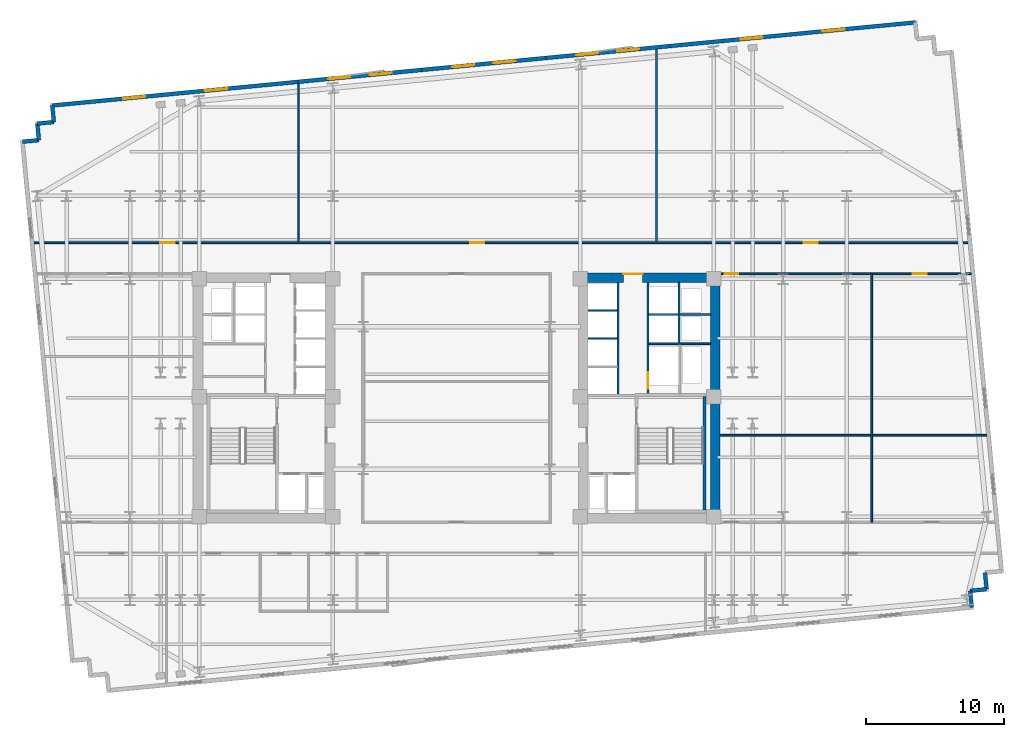
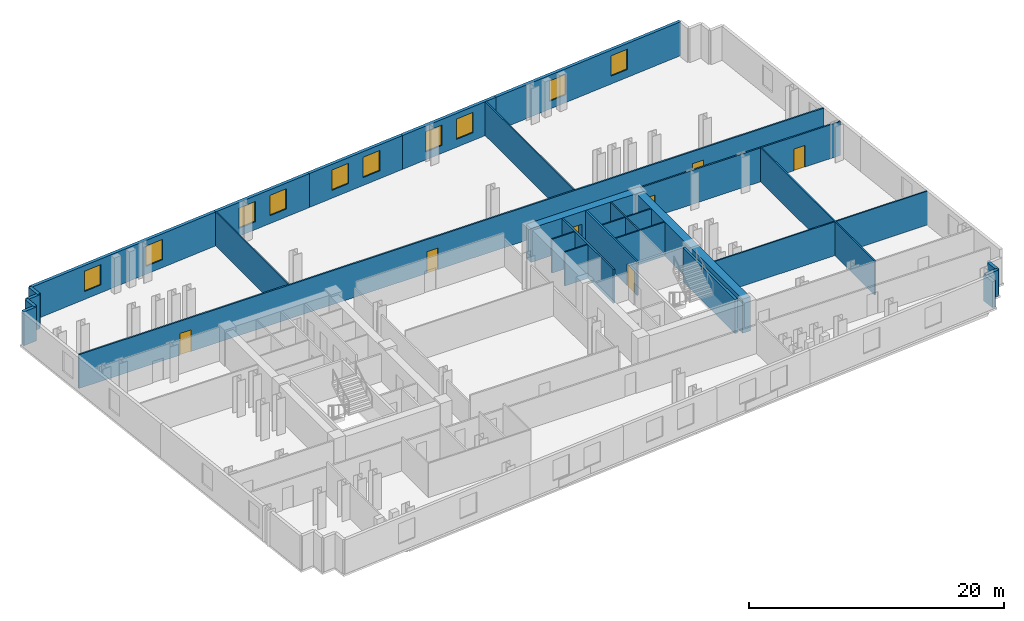
# One storey, part 7 of 10: 29 walls, 10 windows, 7 doors, 17 openings.
"""IFC4 building model written with IfcOpenShell, lengths in metres."""

from ifc_helpers import new_model, si_unit, direction, frame, frame_2d, origin, place, context, subcontext, project, spatial, rectangle, extrude, material, layer, layer_set, type_object, element, fill, save


model = new_model("IFC4")

# Units and contexts
model_context = context("Model", 3, precision=1e-05, world=origin(), true_north=direction((0.0, 1.0)))
body_context = subcontext(model_context, "Body", "Model", "MODEL_VIEW")
ifc_project = project(units=[si_unit("LENGTHUNIT", "METRE"), si_unit("AREAUNIT", "SQUARE_METRE"), si_unit("VOLUMEUNIT", "CUBIC_METRE"), si_unit("PLANEANGLEUNIT", "RADIAN"), si_unit("MASSUNIT", "GRAM", prefix="KILO")], contexts=[model_context])

# Site, building, storey
site_placement = place(None, origin())
site = spatial("IfcSite", under=ifc_project, at=site_placement, CompositionType="ELEMENT")
building_placement = place(site_placement, origin())
building = spatial("IfcBuilding", under=site, at=building_placement, Name="Velakula Bourse", CompositionType="ELEMENT")
storey_placement = place(building_placement, frame((0.0, 0.0, 81.10009765625)))
storey = spatial("IfcBuildingStorey", under=building, at=storey_placement, Name="L21", CompositionType="ELEMENT", Elevation=81.10009765625)

# Wall
ifc_material_1 = material(Name="Concrete M50 (fck 50 MPa)", Category="concrete")
ifc_layer_1 = layer(ifc_material_1, 0.2099609375, Name="Concrete M50 (fck 50 MPa)", Category="concrete")
ifc_layer_set_1 = layer_set([ifc_layer_1], Name="Concrete M50 (fck 50 MPa)")
wall_type_1 = type_object("IfcWallType", Name="WL-CORE-210", PredefinedType="SHEAR", material=ifc_layer_set_1)
wall_1_placement = place(storey_placement, frame((17.925048828125, -8.10009765625, 0.0), z_axis=(0.0, 0.0, 1.0), x_axis=(0.0, 1.0, 0.0)))
element("IfcWall", 1, at=wall_1_placement, inside=storey, type_object=wall_type_1, Name="L21 Core E Stairwell Shear Wall OUT", PredefinedType="SHEAR", context=body_context, shape_type="SweptSolid", body=[
    extrude(rectangle(XDim=8.2001953125, YDim=0.2099609375, at=frame_2d((4.10009765625, 0.0))), origin(), (0.0, 0.0, 1.0), 3.27001953125),
])

# Wall, opening, door
ifc_material_2 = material(Name="Concrete M70 (fck 70 MPa)", Category="concrete")
ifc_layer_2 = layer(ifc_material_2, 0.699951171875, Name="Concrete M70 (fck 70 MPa)", Category="concrete")
ifc_layer_set_2 = layer_set([ifc_layer_2], Name="Concrete M70 (fck 70 MPa)")
wall_type_2 = type_object("IfcWallType", Name="WL-CORE-700", PredefinedType="SHEAR", material=ifc_layer_set_2)
wall_2_placement = place(storey_placement, frame((8.800048828125, 8.699951171875, 0.0), z_axis=(0.0, 0.0, 1.0), x_axis=(1.0, 0.0, 0.0)))
wall_2 = element("IfcWall", 2, at=wall_2_placement, inside=storey, type_object=wall_type_2, Name="L21 Core E Shear Wall N", PredefinedType="SHEAR", context=body_context, shape_type="SweptSolid", body=[
    extrude(rectangle(XDim=10.25, YDim=0.699951171875, at=frame_2d((5.125, 0.0))), origin(), (0.0, 0.0, 1.0), 3.27001953125),
])
opening_1_placement = place(wall_2_placement, frame((3.25, 0.0, 0.0)))
opening_1 = element("IfcOpeningElement", 3, at=opening_1_placement, cuts=wall_2, Name="Opening D-LLE", PredefinedType="OPENING", context=body_context, shape_type="SweptSolid", body=[
    extrude(rectangle(XDim=1.39990234375, YDim=2.050048828125, at=frame_2d((0.699951171875, 1.02490234375))), frame((0.0, 0.35986328125, 0.0), z_axis=(0.0, -1.0, 0.0), x_axis=(1.0, 0.0, 0.0)), (0.0, 0.0, 1.0), 0.719970703125),
])
ifc_material_3 = material(Name="Fire-rated hardwood flush architectural door", Category="wood")
door_type_1 = type_object("IfcDoorType", Name="DR-DBL-FD60-1400", OperationType="DOUBLE_DOOR_SINGLE_SWING", PredefinedType="DOOR", material=ifc_material_3)
door_1_placement = place(opening_1_placement, origin())
door_1 = element("IfcDoor", 4, at=door_1_placement, inside=storey, type_object=door_type_1, Name="L21 Core E Lift Lobby Corridor Double Door", OperationType="DOUBLE_DOOR_SINGLE_SWING", OverallHeight=2.050048828125, OverallWidth=1.39990234375, PredefinedType="DOOR", context=body_context, shape_type="SweptSolid", body=[
    extrude(rectangle(XDim=1.39990234375, YDim=2.050048828125, at=frame_2d((0.699951171875, 1.02490234375))), frame((0.0, 0.294921875, 0.0), z_axis=(0.0, -1.0, 0.0), x_axis=(1.0, 0.0, 0.0)), (0.0, 0.0, 1.0), 0.050048828125),
])
fill(opening_1, door_1)

# Wall
wall_3_placement = place(storey_placement, frame((18.699951171875, -8.35009765625, 0.0), z_axis=(0.0, 0.0, 1.0), x_axis=(0.0, 1.0, 0.0)))
element("IfcWall", 5, at=wall_3_placement, inside=storey, type_object=wall_type_2, Name="L21 Core E Shear Wall E", PredefinedType="SHEAR", context=body_context, shape_type="SweptSolid", body=[
    extrude(rectangle(XDim=16.7001953125, YDim=0.699951171875, at=frame_2d((8.35009765625, 0.0))), origin(), (0.0, 0.0, 1.0), 3.27001953125),
])

# Wall, openings, windows
ifc_material_4 = material(Name="Red kilned clay facing brick masonry", Category="masonry")
ifc_layer_3 = layer(ifc_material_4, 0.280029296875, Name="Red kilned clay facing brick masonry", Category="masonry")
ifc_layer_set_3 = layer_set([ifc_layer_3], Name="Red kilned clay facing brick masonry")
wall_type_3 = type_object("IfcWallType", Name="WL-EXT-BRK-280", PredefinedType="STANDARD", material=ifc_layer_set_3)
wall_4_placement = place(storey_placement, frame((-29.2314453125, 21.138427734375, 0.0), z_axis=(0.0, 0.0, 1.0), x_axis=(0.995395780835, 0.095850088663, 0.0)))
wall_4 = element("IfcWall", 6, at=wall_4_placement, inside=storey, type_object=wall_type_3, Name="L21 N Brick Spandrel Wall B1", PredefinedType="STANDARD", context=body_context, shape_type="SweptSolid", body=[
    extrude(rectangle(XDim=17.83984375, YDim=0.280029296875, at=frame_2d((8.919921875, 0.0))), origin(), (0.0, 0.0, 1.0), 3.25),
])
opening_2_placement = place(wall_4_placement, frame((5.146728515625, 0.0, 0.760009765625)))
opening_2 = element("IfcOpeningElement", 7, at=opening_2_placement, cuts=wall_4, Name="Opening W-02", PredefinedType="OPENING", context=body_context, shape_type="SweptSolid", body=[
    extrude(rectangle(XDim=1.60009765625, YDim=1.949951171875, at=frame_2d((0.800048828125, 0.97509765625))), frame((0.0, 0.14990234375, 0.0), z_axis=(0.0, -1.0, 0.0), x_axis=(1.0, 0.0, 0.0)), (0.0, 0.0, 1.0), 0.300048828125),
])
opening_3_placement = place(wall_4_placement, frame((11.09326171875, 0.0, 0.760009765625)))
opening_3 = element("IfcOpeningElement", 8, at=opening_3_placement, cuts=wall_4, Name="Opening W-02", PredefinedType="OPENING", context=body_context, shape_type="SweptSolid", body=[
    extrude(rectangle(XDim=1.60009765625, YDim=1.949951171875, at=frame_2d((0.800048828125, 0.97509765625))), frame((0.0, 0.14990234375, 0.0), z_axis=(0.0, -1.0, 0.0), x_axis=(1.0, 0.0, 0.0)), (0.0, 0.0, 1.0), 0.300048828125),
])
ifc_material_5 = material(Name="Double-glazed solar-control Low-E glass", Category="glass")
window_type = type_object("IfcWindowType", Name="WIN-TWR-1600x2100", PartitioningType="SINGLE_PANEL", PredefinedType="WINDOW", material=ifc_material_5)
window_1_placement = place(opening_2_placement, origin())
window_1 = element("IfcWindow", 9, at=window_1_placement, inside=storey, type_object=window_type, Name="L21 Deep-Set Recessed Window 1", OverallHeight=1.949951171875, OverallWidth=1.60009765625, PartitioningType="SINGLE_PANEL", PredefinedType="WINDOW", context=body_context, shape_type="SweptSolid", body=[
    extrude(rectangle(XDim=1.60009765625, YDim=1.949951171875, at=frame_2d((0.800048828125, 0.97509765625))), frame((0.0, 0.030029296875, 0.0), z_axis=(0.0, -1.0, 0.0), x_axis=(1.0, 0.0, 0.0)), (0.0, 0.0, 1.0), 0.06005859375),
])
fill(opening_2, window_1)
window_2_placement = place(opening_3_placement, origin())
window_2 = element("IfcWindow", 10, at=window_2_placement, inside=storey, type_object=window_type, Name="L21 Deep-Set Recessed Window 2", OverallHeight=1.949951171875, OverallWidth=1.60009765625, PartitioningType="SINGLE_PANEL", PredefinedType="WINDOW", context=body_context, shape_type="SweptSolid", body=[
    extrude(rectangle(XDim=1.60009765625, YDim=1.949951171875, at=frame_2d((0.800048828125, 0.97509765625))), frame((0.0, 0.030029296875, 0.0), z_axis=(0.0, -1.0, 0.0), x_axis=(1.0, 0.0, 0.0)), (0.0, 0.0, 1.0), 0.06005859375),
])
fill(opening_3, window_2)

wall_5_placement = place(storey_placement, frame((-11.4736328125, 22.848388671875, 0.0), z_axis=(0.0, 0.0, 1.0), x_axis=(0.995396794462, 0.09583956164, 0.0)))
wall_5 = element("IfcWall", 11, at=wall_5_placement, inside=storey, type_object=wall_type_3, Name="L21 N Brick Spandrel Wall B2", PredefinedType="STANDARD", context=body_context, shape_type="SweptSolid", body=[
    extrude(rectangle(XDim=9.0, YDim=0.280029296875, at=frame_2d((4.5, 0.0))), origin(), (0.0, 0.0, 1.0), 3.25),
])
opening_4_placement = place(wall_5_placement, frame((2.199951171875, 0.0, 0.760009765625)))
opening_4 = element("IfcOpeningElement", 12, at=opening_4_placement, cuts=wall_5, Name="Opening W-02", PredefinedType="OPENING", context=body_context, shape_type="SweptSolid", body=[
    extrude(rectangle(XDim=1.60009765625, YDim=1.949951171875, at=frame_2d((0.800048828125, 0.97509765625))), frame((0.0, 0.14990234375, 0.0), z_axis=(0.0, -1.0, 0.0), x_axis=(1.0, 0.0, 0.0)), (0.0, 0.0, 1.0), 0.300048828125),
])
opening_5_placement = place(wall_5_placement, frame((5.199951171875, 0.0, 0.760009765625)))
opening_5 = element("IfcOpeningElement", 13, at=opening_5_placement, cuts=wall_5, Name="Opening W-02", PredefinedType="OPENING", context=body_context, shape_type="SweptSolid", body=[
    extrude(rectangle(XDim=1.60009765625, YDim=1.949951171875, at=frame_2d((0.800048828125, 0.97509765625))), frame((0.0, 0.14990234375, 0.0), z_axis=(0.0, -1.0, 0.0), x_axis=(1.0, 0.0, 0.0)), (0.0, 0.0, 1.0), 0.300048828125),
])
window_3_placement = place(opening_4_placement, origin())
window_3 = element("IfcWindow", 14, at=window_3_placement, inside=storey, type_object=window_type, Name="L21 Deep-Set Recessed Window 1", OverallHeight=1.949951171875, OverallWidth=1.60009765625, PartitioningType="SINGLE_PANEL", PredefinedType="WINDOW", context=body_context, shape_type="SweptSolid", body=[
    extrude(rectangle(XDim=1.60009765625, YDim=1.949951171875, at=frame_2d((0.800048828125, 0.97509765625))), frame((0.0, 0.030029296875, 0.0), z_axis=(0.0, -1.0, 0.0), x_axis=(1.0, 0.0, 0.0)), (0.0, 0.0, 1.0), 0.06005859375),
])
fill(opening_4, window_3)
window_4_placement = place(opening_5_placement, origin())
window_4 = element("IfcWindow", 15, at=window_4_placement, inside=storey, type_object=window_type, Name="L21 Deep-Set Recessed Window 2", OverallHeight=1.949951171875, OverallWidth=1.60009765625, PartitioningType="SINGLE_PANEL", PredefinedType="WINDOW", context=body_context, shape_type="SweptSolid", body=[
    extrude(rectangle(XDim=1.60009765625, YDim=1.949951171875, at=frame_2d((0.800048828125, 0.97509765625))), frame((0.0, 0.030029296875, 0.0), z_axis=(0.0, -1.0, 0.0), x_axis=(1.0, 0.0, 0.0)), (0.0, 0.0, 1.0), 0.06005859375),
])
fill(opening_5, window_4)

wall_6_placement = place(storey_placement, frame((-2.51513671875, 23.7109375, 0.0), z_axis=(0.0, 0.0, 1.0), x_axis=(0.995397043619, 0.095836973841, 0.0)))
wall_6 = element("IfcWall", 16, at=wall_6_placement, inside=storey, type_object=wall_type_3, Name="L21 N Brick Spandrel Wall B3", PredefinedType="STANDARD", context=body_context, shape_type="SweptSolid", body=[
    extrude(rectangle(XDim=9.000244140625, YDim=0.280029296875, at=frame_2d((4.5, 0.0))), origin(), (0.0, 0.0, 1.0), 3.25),
])
opening_6_placement = place(wall_6_placement, frame((2.199951171875, 0.0, 0.760009765625)))
opening_6 = element("IfcOpeningElement", 17, at=opening_6_placement, cuts=wall_6, Name="Opening W-02", PredefinedType="OPENING", context=body_context, shape_type="SweptSolid", body=[
    extrude(rectangle(XDim=1.60009765625, YDim=1.949951171875, at=frame_2d((0.800048828125, 0.97509765625))), frame((0.0, 0.14990234375, 0.0), z_axis=(0.0, -1.0, 0.0), x_axis=(1.0, 0.0, 0.0)), (0.0, 0.0, 1.0), 0.300048828125),
])
opening_7_placement = place(wall_6_placement, frame((5.199951171875, 0.0, 0.760009765625)))
opening_7 = element("IfcOpeningElement", 18, at=opening_7_placement, cuts=wall_6, Name="Opening W-02", PredefinedType="OPENING", context=body_context, shape_type="SweptSolid", body=[
    extrude(rectangle(XDim=1.60009765625, YDim=1.949951171875, at=frame_2d((0.800048828125, 0.97509765625))), frame((0.0, 0.14990234375, 0.0), z_axis=(0.0, -1.0, 0.0), x_axis=(1.0, 0.0, 0.0)), (0.0, 0.0, 1.0), 0.300048828125),
])
window_5_placement = place(opening_6_placement, origin())
window_5 = element("IfcWindow", 19, at=window_5_placement, inside=storey, type_object=window_type, Name="L21 Deep-Set Recessed Window 1", OverallHeight=1.949951171875, OverallWidth=1.60009765625, PartitioningType="SINGLE_PANEL", PredefinedType="WINDOW", context=body_context, shape_type="SweptSolid", body=[
    extrude(rectangle(XDim=1.60009765625, YDim=1.949951171875, at=frame_2d((0.800048828125, 0.97509765625))), frame((0.0, 0.030029296875, 0.0), z_axis=(0.0, -1.0, 0.0), x_axis=(1.0, 0.0, 0.0)), (0.0, 0.0, 1.0), 0.06005859375),
])
fill(opening_6, window_5)
window_6_placement = place(opening_7_placement, origin())
window_6 = element("IfcWindow", 20, at=window_6_placement, inside=storey, type_object=window_type, Name="L21 Deep-Set Recessed Window 2", OverallHeight=1.949951171875, OverallWidth=1.60009765625, PartitioningType="SINGLE_PANEL", PredefinedType="WINDOW", context=body_context, shape_type="SweptSolid", body=[
    extrude(rectangle(XDim=1.60009765625, YDim=1.949951171875, at=frame_2d((0.800048828125, 0.97509765625))), frame((0.0, 0.030029296875, 0.0), z_axis=(0.0, -1.0, 0.0), x_axis=(1.0, 0.0, 0.0)), (0.0, 0.0, 1.0), 0.06005859375),
])
fill(opening_7, window_6)

wall_7_placement = place(storey_placement, frame((6.443603515625, 24.573486328125, 0.0), z_axis=(0.0, 0.0, 1.0), x_axis=(0.995396794462, 0.09583956164, 0.0)))
wall_7 = element("IfcWall", 21, at=wall_7_placement, inside=storey, type_object=wall_type_3, Name="L21 N Brick Spandrel Wall B4", PredefinedType="STANDARD", context=body_context, shape_type="SweptSolid", body=[
    extrude(rectangle(XDim=9.0, YDim=0.280029296875, at=frame_2d((4.5, 0.0))), origin(), (0.0, 0.0, 1.0), 3.25),
])
opening_8_placement = place(wall_7_placement, frame((2.199951171875, 0.0, 0.760009765625)))
opening_8 = element("IfcOpeningElement", 22, at=opening_8_placement, cuts=wall_7, Name="Opening W-02", PredefinedType="OPENING", context=body_context, shape_type="SweptSolid", body=[
    extrude(rectangle(XDim=1.60009765625, YDim=1.949951171875, at=frame_2d((0.800048828125, 0.97509765625))), frame((0.0, 0.14990234375, 0.0), z_axis=(0.0, -1.0, 0.0), x_axis=(1.0, 0.0, 0.0)), (0.0, 0.0, 1.0), 0.300048828125),
])
opening_9_placement = place(wall_7_placement, frame((5.199951171875, 0.0, 0.760009765625)))
opening_9 = element("IfcOpeningElement", 23, at=opening_9_placement, cuts=wall_7, Name="Opening W-02", PredefinedType="OPENING", context=body_context, shape_type="SweptSolid", body=[
    extrude(rectangle(XDim=1.60009765625, YDim=1.949951171875, at=frame_2d((0.800048828125, 0.97509765625))), frame((0.0, 0.14990234375, 0.0), z_axis=(0.0, -1.0, 0.0), x_axis=(1.0, 0.0, 0.0)), (0.0, 0.0, 1.0), 0.300048828125),
])
window_7_placement = place(opening_8_placement, origin())
window_7 = element("IfcWindow", 24, at=window_7_placement, inside=storey, type_object=window_type, Name="L21 Deep-Set Recessed Window 1", OverallHeight=1.949951171875, OverallWidth=1.60009765625, PartitioningType="SINGLE_PANEL", PredefinedType="WINDOW", context=body_context, shape_type="SweptSolid", body=[
    extrude(rectangle(XDim=1.60009765625, YDim=1.949951171875, at=frame_2d((0.800048828125, 0.97509765625))), frame((0.0, 0.030029296875, 0.0), z_axis=(0.0, -1.0, 0.0), x_axis=(1.0, 0.0, 0.0)), (0.0, 0.0, 1.0), 0.06005859375),
])
fill(opening_8, window_7)
window_8_placement = place(opening_9_placement, origin())
window_8 = element("IfcWindow", 25, at=window_8_placement, inside=storey, type_object=window_type, Name="L21 Deep-Set Recessed Window 2", OverallHeight=1.949951171875, OverallWidth=1.60009765625, PartitioningType="SINGLE_PANEL", PredefinedType="WINDOW", context=body_context, shape_type="SweptSolid", body=[
    extrude(rectangle(XDim=1.60009765625, YDim=1.949951171875, at=frame_2d((0.800048828125, 0.97509765625))), frame((0.0, 0.030029296875, 0.0), z_axis=(0.0, -1.0, 0.0), x_axis=(1.0, 0.0, 0.0)), (0.0, 0.0, 1.0), 0.06005859375),
])
fill(opening_9, window_8)

wall_8_placement = place(storey_placement, frame((15.402099609375, 25.43603515625, 0.0), z_axis=(0.0, 0.0, 1.0), x_axis=(0.995395780835, 0.095850088663, 0.0)))
wall_8 = element("IfcWall", 26, at=wall_8_placement, inside=storey, type_object=wall_type_3, Name="L21 N Brick Spandrel Wall B5", PredefinedType="STANDARD", context=body_context, shape_type="SweptSolid", body=[
    extrude(rectangle(XDim=17.83984375, YDim=0.280029296875, at=frame_2d((8.919921875, 0.0))), origin(), (0.0, 0.0, 1.0), 3.25),
])
opening_10_placement = place(wall_8_placement, frame((5.146728515625, 0.0, 0.760009765625)))
opening_10 = element("IfcOpeningElement", 27, at=opening_10_placement, cuts=wall_8, Name="Opening W-02", PredefinedType="OPENING", context=body_context, shape_type="SweptSolid", body=[
    extrude(rectangle(XDim=1.60009765625, YDim=1.949951171875, at=frame_2d((0.800048828125, 0.97509765625))), frame((0.0, 0.14990234375, 0.0), z_axis=(0.0, -1.0, 0.0), x_axis=(1.0, 0.0, 0.0)), (0.0, 0.0, 1.0), 0.300048828125),
])
opening_11_placement = place(wall_8_placement, frame((11.09326171875, 0.0, 0.760009765625)))
opening_11 = element("IfcOpeningElement", 28, at=opening_11_placement, cuts=wall_8, Name="Opening W-02", PredefinedType="OPENING", context=body_context, shape_type="SweptSolid", body=[
    extrude(rectangle(XDim=1.60009765625, YDim=1.949951171875, at=frame_2d((0.800048828125, 0.97509765625))), frame((0.0, 0.14990234375, 0.0), z_axis=(0.0, -1.0, 0.0), x_axis=(1.0, 0.0, 0.0)), (0.0, 0.0, 1.0), 0.300048828125),
])
window_9_placement = place(opening_10_placement, origin())
window_9 = element("IfcWindow", 29, at=window_9_placement, inside=storey, type_object=window_type, Name="L21 Deep-Set Recessed Window 1", OverallHeight=1.949951171875, OverallWidth=1.60009765625, PartitioningType="SINGLE_PANEL", PredefinedType="WINDOW", context=body_context, shape_type="SweptSolid", body=[
    extrude(rectangle(XDim=1.60009765625, YDim=1.949951171875, at=frame_2d((0.800048828125, 0.97509765625))), frame((0.0, 0.030029296875, 0.0), z_axis=(0.0, -1.0, 0.0), x_axis=(1.0, 0.0, 0.0)), (0.0, 0.0, 1.0), 0.06005859375),
])
fill(opening_10, window_9)
window_10_placement = place(opening_11_placement, origin())
window_10 = element("IfcWindow", 30, at=window_10_placement, inside=storey, type_object=window_type, Name="L21 Deep-Set Recessed Window 2", OverallHeight=1.949951171875, OverallWidth=1.60009765625, PartitioningType="SINGLE_PANEL", PredefinedType="WINDOW", context=body_context, shape_type="SweptSolid", body=[
    extrude(rectangle(XDim=1.60009765625, YDim=1.949951171875, at=frame_2d((0.800048828125, 0.97509765625))), frame((0.0, 0.030029296875, 0.0), z_axis=(0.0, -1.0, 0.0), x_axis=(1.0, 0.0, 0.0)), (0.0, 0.0, 1.0), 0.06005859375),
])
fill(opening_11, window_10)

# Walls
for number, where, z_axis, x_axis, name in (
    (31, (37.2314453125, -15.138427734375, 0.0), (0.0, 0.0, 1.0), (-0.095817067274, 0.995398960025, 0.0), "L21 Serrated Corner Brick Wall SE-1"),
    (32, (37.116455078125, -13.94384765625, 0.0), (0.0, 0.0, 1.0), (0.995398960025, 0.095817067274, 0.0), "L21 Serrated Corner Brick Wall SE-2"),
):
    element("IfcWall", number, at=place(storey_placement, frame(where, z_axis=z_axis, x_axis=x_axis)), inside=storey, type_object=wall_type_3, Name=name, PredefinedType="STANDARD", context=body_context, shape_type="SweptSolid", body=[
        extrude(rectangle(XDim=1.2001953125, YDim=0.280029296875, at=frame_2d((0.60009765625, 0.0))), origin(), (0.0, 0.0, 1.0), 2.494873046875),
    ])
wall_9_placement = place(storey_placement, frame((38.31103515625, -13.828857421875, 0.0), z_axis=(0.0, 0.0, 1.0), x_axis=(-0.095836473879, 0.995397091755, 0.0)))
element("IfcWall", 33, at=wall_9_placement, inside=storey, type_object=wall_type_3, Name="L21 Serrated Corner Brick Wall SE-3", PredefinedType="STANDARD", context=body_context, shape_type="SweptSolid", body=[
    extrude(rectangle(XDim=1.199951171875, YDim=0.280029296875, at=frame_2d((0.60009765625, 0.0))), origin(), (0.0, 0.0, 1.0), 2.494873046875),
])
for number, where, z_axis, x_axis, name in (
    (34, (-29.2314453125, 21.138427734375, 0.0), (0.0, 0.0, 1.0), (0.095817067274, -0.995398960025, 0.0), "L21 Serrated Corner Brick Wall NW-1"),
    (35, (-29.116455078125, 19.94384765625, 0.0), (0.0, 0.0, 1.0), (-0.995398960025, -0.095817067274, 0.0), "L21 Serrated Corner Brick Wall NW-2"),
):
    element("IfcWall", number, at=place(storey_placement, frame(where, z_axis=z_axis, x_axis=x_axis)), inside=storey, type_object=wall_type_3, Name=name, PredefinedType="STANDARD", context=body_context, shape_type="SweptSolid", body=[
        extrude(rectangle(XDim=1.2001953125, YDim=0.280029296875, at=frame_2d((0.60009765625, 0.0))), origin(), (0.0, 0.0, 1.0), 3.25),
    ])
for number, where, z_axis, x_axis, name in (
    (36, (-30.31103515625, 19.828857421875, 0.0), (0.0, 0.0, 1.0), (0.095836473879, -0.995397091755, 0.0), "L21 Serrated Corner Brick Wall NW-3"),
    (37, (-30.196044921875, 18.634521484375, 0.0), (0.0, 0.0, 1.0), (-0.995397091755, -0.095836473879, 0.0), "L21 Serrated Corner Brick Wall NW-4"),
):
    element("IfcWall", number, at=place(storey_placement, frame(where, z_axis=z_axis, x_axis=x_axis)), inside=storey, type_object=wall_type_3, Name=name, PredefinedType="STANDARD", context=body_context, shape_type="SweptSolid", body=[
        extrude(rectangle(XDim=1.199951171875, YDim=0.280029296875, at=frame_2d((0.60009765625, 0.0))), origin(), (0.0, 0.0, 1.0), 3.25),
    ])
ifc_material_6 = material(Name="Fire-rated double-layer gypsum drywall partition", Category="gypsum")
ifc_layer_4 = layer(ifc_material_6, 0.1201171875, Name="Fire-rated double-layer gypsum drywall partition", Category="gypsum")
ifc_layer_set_4 = layer_set([ifc_layer_4], Name="Fire-rated double-layer gypsum drywall partition")
wall_type_4 = type_object("IfcWallType", Name="WL-PART-120", PredefinedType="STANDARD", material=ifc_layer_set_4)
for number, where, z_axis, x_axis, name in (
    (38, (9.5, 4.284912109375, 0.0), (0.0, 0.0, 1.0), (1.0, 0.0, 0.0), "L21 Interior Partition WL-CRE-L21-BDIV-1"),
    (39, (9.5, 6.31494140625, 0.0), (0.0, 0.0, 1.0), (1.0, 0.0, 0.0), "L21 Interior Partition WL-CRE-L21-BDIV-2"),
):
    element("IfcWall", number, at=place(storey_placement, frame(where, z_axis=z_axis, x_axis=x_axis)), inside=storey, type_object=wall_type_4, Name=name, PredefinedType="STANDARD", context=body_context, shape_type="SweptSolid", body=[
        extrude(rectangle(XDim=2.10009765625, YDim=0.110107421875, at=frame_2d((1.050048828125, 0.0))), origin(), (0.0, 0.0, 1.0), 3.25),
    ])
wall_10_placement = place(storey_placement, frame((13.89990234375, 3.919921875, 0.0), z_axis=(0.0, 0.0, 1.0), x_axis=(1.0, 0.0, 0.0)))
element("IfcWall", 40, at=wall_10_placement, inside=storey, type_object=wall_type_4, Name="L21 Interior Partition WL-CRE-L21-HI-S", PredefinedType="STANDARD", context=body_context, shape_type="SweptSolid", body=[
    extrude(rectangle(XDim=4.4501953125, YDim=0.1201171875, at=frame_2d((2.22509765625, 0.0))), origin(), (0.0, 0.0, 1.0), 3.25),
])
wall_11_placement = place(storey_placement, frame((16.14990234375, 6.030029296875, 0.0), z_axis=(0.0, 0.0, 1.0), x_axis=(1.0, 0.0, 0.0)))
element("IfcWall", 41, at=wall_11_placement, inside=storey, type_object=wall_type_4, Name="L21 Interior Partition WL-CRE-L21-RIS-MID", PredefinedType="STANDARD", context=body_context, shape_type="SweptSolid", body=[
    extrude(rectangle(XDim=2.2001953125, YDim=0.1201171875, at=frame_2d((1.10009765625, 0.0))), origin(), (0.0, 0.0, 1.0), 3.25),
])
wall_12_placement = place(storey_placement, frame((16.074951171875, 3.97998046875, 0.0), z_axis=(0.0, 0.0, 1.0), x_axis=(0.0, 1.0, 0.0)))
element("IfcWall", 42, at=wall_12_placement, inside=storey, type_object=wall_type_4, Name="L21 Interior Partition WL-CRE-L21-RIS-F", PredefinedType="STANDARD", context=body_context, shape_type="SweptSolid", body=[
    extrude(rectangle(XDim=4.3701171875, YDim=0.1201171875, at=frame_2d((2.18505859375, 0.0))), origin(), (0.0, 0.0, 1.0), 3.25),
])
wall_13_placement = place(storey_placement, frame((13.89990234375, 6.030029296875, 0.0), z_axis=(0.0, 0.0, 1.0), x_axis=(1.0, 0.0, 0.0)))
element("IfcWall", 43, at=wall_13_placement, inside=storey, type_object=wall_type_4, Name="L21 Interior Partition WL-CRE-L21-HI-DIV", PredefinedType="STANDARD", context=body_context, shape_type="SweptSolid", body=[
    extrude(rectangle(XDim=2.10009765625, YDim=0.1201171875, at=frame_2d((1.050048828125, 0.0))), origin(), (0.0, 0.0, 1.0), 3.25),
])
wall_14_placement = place(storey_placement, frame((-11.44189453125, 11.2900390625, 0.0), z_axis=(0.0, 0.0, 1.0), x_axis=(0.0, 1.0, 0.0)))
element("IfcWall", 44, at=wall_14_placement, inside=storey, type_object=wall_type_4, Name="L21 Interior Partition WL-INT-L21-N-D1", PredefinedType="STANDARD", context=body_context, shape_type="SweptSolid", body=[
    extrude(rectangle(XDim=11.440673828125, YDim=0.1201171875, at=frame_2d((5.72021484375, 0.0))), origin(), (0.0, 0.0, 1.0), 3.25),
])
wall_15_placement = place(storey_placement, frame((14.43994140625, 11.2900390625, 0.0), z_axis=(0.0, 0.0, 1.0), x_axis=(0.0, 1.0, 0.0)))
element("IfcWall", 45, at=wall_15_placement, inside=storey, type_object=wall_type_4, Name="L21 Interior Partition WL-INT-L21-N-D2", PredefinedType="STANDARD", context=body_context, shape_type="SweptSolid", body=[
    extrude(rectangle(XDim=13.932861328125, YDim=0.1201171875, at=frame_2d((6.96630859375, 0.0))), origin(), (0.0, 0.0, 1.0), 3.25),
])
wall_16_placement = place(storey_placement, frame((19.050048828125, -2.699951171875, 0.0), z_axis=(0.0, 0.0, 1.0), x_axis=(1.0, 0.0, 0.0)))
element("IfcWall", 46, at=wall_16_placement, inside=storey, type_object=wall_type_4, Name="L21 Interior Partition WL-INT-L21-E-H", PredefinedType="STANDARD", context=body_context, shape_type="SweptSolid", body=[
    extrude(rectangle(XDim=19.274169921875, YDim=0.1201171875, at=frame_2d((9.63720703125, 0.0))), origin(), (0.0, 0.0, 1.0), 3.25),
])
wall_17_placement = place(storey_placement, frame((30.009033203125, -8.97998046875, 0.0), z_axis=(0.0, 0.0, 1.0), x_axis=(0.0, 1.0, 0.0)))
element("IfcWall", 47, at=wall_17_placement, inside=storey, type_object=wall_type_4, Name="L21 Interior Partition WL-INT-L21-E-V1", PredefinedType="STANDARD", context=body_context, shape_type="SweptSolid", body=[
    extrude(rectangle(XDim=17.9599609375, YDim=0.1201171875, at=frame_2d((8.97998046875, 0.0))), origin(), (0.0, 0.0, 1.0), 3.25),
])

# Wall, openings, doors
ifc_layer_5 = layer(ifc_material_6, 0.139892578125, Name="Fire-rated double-layer gypsum drywall partition", Category="gypsum")
ifc_layer_set_5 = layer_set([ifc_layer_5], Name="Fire-rated double-layer gypsum drywall partition")
wall_type_5 = type_object("IfcWallType", Name="WL-PART-140", PredefinedType="STANDARD", material=ifc_layer_set_5)
wall_18_placement = place(storey_placement, frame((-30.56689453125, 11.219970703125, 0.0), z_axis=(0.0, 0.0, 1.0), x_axis=(1.0, 0.0, 0.0)))
wall_18 = element("IfcWall", 48, at=wall_18_placement, inside=storey, type_object=wall_type_5, Name="L21 Interior Partition WL-INT-L21-N-CORR", PredefinedType="STANDARD", context=body_context, shape_type="SweptSolid", body=[
    extrude(rectangle(XDim=67.55078125, YDim=0.139892578125, at=frame_2d((33.775390625, 0.0))), origin(), (0.0, 0.0, 1.0), 3.25),
])
opening_12_placement = place(wall_18_placement, frame((9.1884765625, 0.0, 0.0)))
opening_12 = element("IfcOpeningElement", 49, at=opening_12_placement, cuts=wall_18, Name="Opening D-OF1", PredefinedType="OPENING", context=body_context, shape_type="SweptSolid", body=[
    extrude(rectangle(XDim=1.0, YDim=2.080078125, at=frame_2d((0.5, 1.0400390625))), frame((0.0, 0.079833984375, 0.0), z_axis=(0.0, -1.0, 0.0), x_axis=(1.0, 0.0, 0.0)), (0.0, 0.0, 1.0), 0.159912109375),
])
opening_13_placement = place(wall_18_placement, frame((31.56591796875, 0.0, 0.0)))
opening_13 = element("IfcOpeningElement", 50, at=opening_13_placement, cuts=wall_18, Name="Opening D-OF1", PredefinedType="OPENING", context=body_context, shape_type="SweptSolid", body=[
    extrude(rectangle(XDim=1.0, YDim=2.080078125, at=frame_2d((0.5, 1.0400390625))), frame((0.0, 0.079833984375, 0.0), z_axis=(0.0, -1.0, 0.0), x_axis=(1.0, 0.0, 0.0)), (0.0, 0.0, 1.0), 0.159912109375),
])
opening_14_placement = place(wall_18_placement, frame((55.653076171875, 0.0, 0.0)))
opening_14 = element("IfcOpeningElement", 51, at=opening_14_placement, cuts=wall_18, Name="Opening D-OF1", PredefinedType="OPENING", context=body_context, shape_type="SweptSolid", body=[
    extrude(rectangle(XDim=1.0, YDim=2.080078125, at=frame_2d((0.5, 1.0400390625))), frame((0.0, 0.079833984375, 0.0), z_axis=(0.0, -1.0, 0.0), x_axis=(1.0, 0.0, 0.0)), (0.0, 0.0, 1.0), 0.159912109375),
])
door_type_2 = type_object("IfcDoorType", Name="DR-OFF-1000", OperationType="NOTDEFINED", PredefinedType="DOOR", material=ifc_material_3)
door_2_placement = place(opening_12_placement, origin())
door_2 = element("IfcDoor", 52, at=door_2_placement, inside=storey, type_object=door_type_2, Name="L21 Commodity Futures Workspace Door", OperationType="SINGLE_SWING_LEFT", OverallHeight=2.080078125, OverallWidth=1.0, PredefinedType="DOOR", context=body_context, shape_type="SweptSolid", body=[
    extrude(rectangle(XDim=1.0, YDim=2.080078125, at=frame_2d((0.5, 1.0400390625))), frame((0.0, 0.02490234375, 0.0), z_axis=(0.0, -1.0, 0.0), x_axis=(1.0, 0.0, 0.0)), (0.0, 0.0, 1.0), 0.050048828125),
])
fill(opening_12, door_2)
door_3_placement = place(opening_13_placement, origin())
door_3 = element("IfcDoor", 53, at=door_3_placement, inside=storey, type_object=door_type_2, Name="L21 Clearing Committee Room Door", OperationType="SINGLE_SWING_RIGHT", OverallHeight=2.080078125, OverallWidth=1.0, PredefinedType="DOOR", context=body_context, shape_type="SweptSolid", body=[
    extrude(rectangle(XDim=1.0, YDim=2.080078125, at=frame_2d((0.5, 1.0400390625))), frame((0.0, 0.02490234375, 0.0), z_axis=(0.0, -1.0, 0.0), x_axis=(1.0, 0.0, 0.0)), (0.0, 0.0, 1.0), 0.050048828125),
])
fill(opening_13, door_3)
door_4_placement = place(opening_14_placement, origin())
door_4 = element("IfcDoor", 54, at=door_4_placement, inside=storey, type_object=door_type_2, Name="L21 Tea Room Kitchenette Door", OperationType="SINGLE_SWING_LEFT", OverallHeight=2.080078125, OverallWidth=1.0, PredefinedType="DOOR", context=body_context, shape_type="SweptSolid", body=[
    extrude(rectangle(XDim=1.0, YDim=2.080078125, at=frame_2d((0.5, 1.0400390625))), frame((0.0, 0.02490234375, 0.0), z_axis=(0.0, -1.0, 0.0), x_axis=(1.0, 0.0, 0.0)), (0.0, 0.0, 1.0), 0.050048828125),
])
fill(opening_14, door_4)

wall_19_placement = place(storey_placement, frame((19.050048828125, 8.97998046875, 0.0), z_axis=(0.0, 0.0, 1.0), x_axis=(1.0, 0.0, 0.0)))
wall_19 = element("IfcWall", 55, at=wall_19_placement, inside=storey, type_object=wall_type_5, Name="L21 Interior Partition WL-INT-L21-E-NC", PredefinedType="STANDARD", context=body_context, shape_type="SweptSolid", body=[
    extrude(rectangle(XDim=18.149658203125, YDim=0.139892578125, at=frame_2d((9.07470703125, 0.0))), origin(), (0.0, 0.0, 1.0), 3.25),
])
opening_15_placement = place(wall_19_placement, frame((0.320068359375, 0.0, 0.0)))
opening_15 = element("IfcOpeningElement", 56, at=opening_15_placement, cuts=wall_19, Name="Opening D-OF1", PredefinedType="OPENING", context=body_context, shape_type="SweptSolid", body=[
    extrude(rectangle(XDim=1.0, YDim=2.080078125, at=frame_2d((0.5, 1.0400390625))), frame((0.0, 0.079833984375, 0.0), z_axis=(0.0, -1.0, 0.0), x_axis=(1.0, 0.0, 0.0)), (0.0, 0.0, 1.0), 0.159912109375),
])
opening_16_placement = place(wall_19_placement, frame((13.92431640625, 0.0, 0.0)))
opening_16 = element("IfcOpeningElement", 57, at=opening_16_placement, cuts=wall_19, Name="Opening D-OF1", PredefinedType="OPENING", context=body_context, shape_type="SweptSolid", body=[
    extrude(rectangle(XDim=1.0, YDim=2.080078125, at=frame_2d((0.5, 1.0400390625))), frame((0.0, 0.079833984375, 0.0), z_axis=(0.0, -1.0, 0.0), x_axis=(1.0, 0.0, 0.0)), (0.0, 0.0, 1.0), 0.159912109375),
])
door_5_placement = place(opening_15_placement, origin())
door_5 = element("IfcDoor", 58, at=door_5_placement, inside=storey, type_object=door_type_2, Name="L21 Broadcast Control Office Door", OperationType="SINGLE_SWING_LEFT", OverallHeight=2.080078125, OverallWidth=1.0, PredefinedType="DOOR", context=body_context, shape_type="SweptSolid", body=[
    extrude(rectangle(XDim=1.0, YDim=2.080078125, at=frame_2d((0.5, 1.0400390625))), frame((0.0, 0.02490234375, 0.0), z_axis=(0.0, -1.0, 0.0), x_axis=(1.0, 0.0, 0.0)), (0.0, 0.0, 1.0), 0.050048828125),
])
fill(opening_15, door_5)
door_6_placement = place(opening_16_placement, origin())
door_6 = element("IfcDoor", 59, at=door_6_placement, inside=storey, type_object=door_type_2, Name="L21 Yield Curve Seminar Room Door", OperationType="SINGLE_SWING_RIGHT", OverallHeight=2.080078125, OverallWidth=1.0, PredefinedType="DOOR", context=body_context, shape_type="SweptSolid", body=[
    extrude(rectangle(XDim=1.0, YDim=2.080078125, at=frame_2d((0.5, 1.0400390625))), frame((0.0, 0.02490234375, 0.0), z_axis=(0.0, -1.0, 0.0), x_axis=(1.0, 0.0, 0.0)), (0.0, 0.0, 1.0), 0.050048828125),
])
fill(opening_16, door_6)

# Wall
ifc_material_7 = material(Name="Autoclaved aerated concrete blockwork masonry", Category="masonry")
ifc_layer_6 = layer(ifc_material_7, 0.14990234375, Name="Autoclaved aerated concrete blockwork masonry", Category="masonry")
ifc_layer_set_6 = layer_set([ifc_layer_6], Name="Autoclaved aerated concrete blockwork masonry")
wall_type_6 = type_object("IfcWallType", Name="WL-SHAFT-150", PredefinedType="STANDARD", material=ifc_layer_set_6)
wall_20_placement = place(storey_placement, frame((11.675048828125, 0.27001953125, 0.0), z_axis=(0.0, 0.0, 1.0), x_axis=(0.0, 1.0, 0.0)))
element("IfcWall", 60, at=wall_20_placement, inside=storey, type_object=wall_type_6, Name="L21 Interior Partition WL-CRE-L21-BANK-F", PredefinedType="STANDARD", context=body_context, shape_type="SweptSolid", body=[
    extrude(rectangle(XDim=8.080078125, YDim=0.14990234375, at=frame_2d((4.0400390625, 0.0))), origin(), (0.0, 0.0, 1.0), 3.25),
])

# Wall, opening, door
wall_21_placement = place(storey_placement, frame((13.824951171875, 0.27001953125, 0.0), z_axis=(0.0, 0.0, 1.0), x_axis=(0.0, 1.0, 0.0)))
wall_21 = element("IfcWall", 61, at=wall_21_placement, inside=storey, type_object=wall_type_6, Name="L21 Interior Partition WL-CRE-L21-OUT-F", PredefinedType="STANDARD", context=body_context, shape_type="SweptSolid", body=[
    extrude(rectangle(XDim=8.080078125, YDim=0.14990234375, at=frame_2d((4.0400390625, 0.0))), origin(), (0.0, 0.0, 1.0), 3.25),
])
opening_17_placement = place(wall_21_placement, frame((0.3798828125, 0.0, 0.0)))
opening_17 = element("IfcOpeningElement", 62, at=opening_17_placement, cuts=wall_21, Name="Opening LD-SVL1", PredefinedType="OPENING", context=body_context, shape_type="SweptSolid", body=[
    extrude(rectangle(XDim=1.199951171875, YDim=2.10009765625, at=frame_2d((0.60009765625, 1.050048828125))), frame((0.0, 0.0849609375, 0.0), z_axis=(0.0, -1.0, 0.0), x_axis=(1.0, 0.0, 0.0)), (0.0, 0.0, 1.0), 0.169921875),
])
ifc_material_8 = material(Name="Brushed grade 316 stainless steel", Category="steel")
door_type_3 = type_object("IfcDoorType", Name="DR-SLIDE-LD-1200", OperationType="DOUBLE_DOOR_SLIDING", PredefinedType="DOOR", material=ifc_material_8)
door_7_placement = place(opening_17_placement, origin())
door_7 = element("IfcDoor", 63, at=door_7_placement, inside=storey, type_object=door_type_3, Name="L21 Service Lift SVL-1 Sliding Landing Door", OperationType="DOUBLE_DOOR_SLIDING", OverallHeight=2.10009765625, OverallWidth=1.199951171875, PredefinedType="DOOR", context=body_context, shape_type="SweptSolid", body=[
    extrude(rectangle(XDim=1.199951171875, YDim=2.10009765625, at=frame_2d((0.60009765625, 1.050048828125))), frame((0.0, 0.02490234375, 0.0), z_axis=(0.0, -1.0, 0.0), x_axis=(1.0, 0.0, 0.0)), (0.0, 0.0, 1.0), 0.050048828125),
])
fill(opening_17, door_7)

save(model, "model.ifc")
